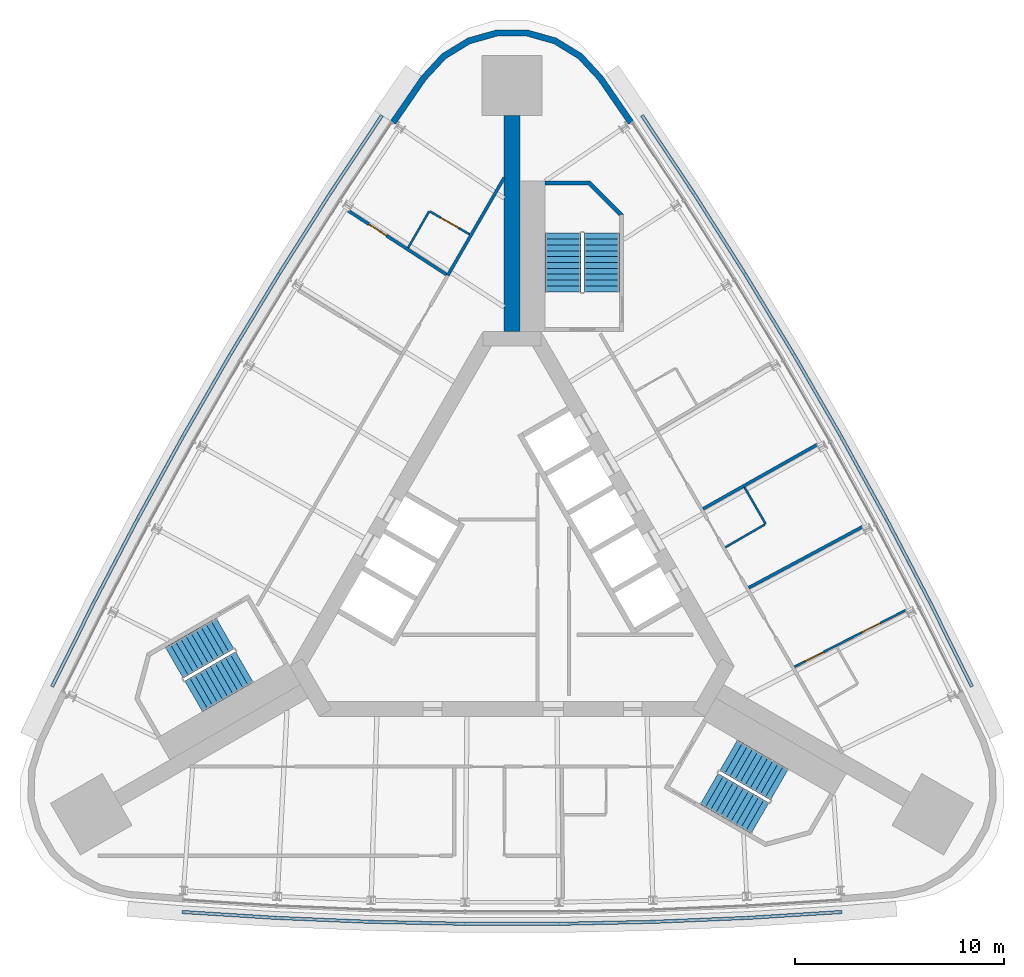
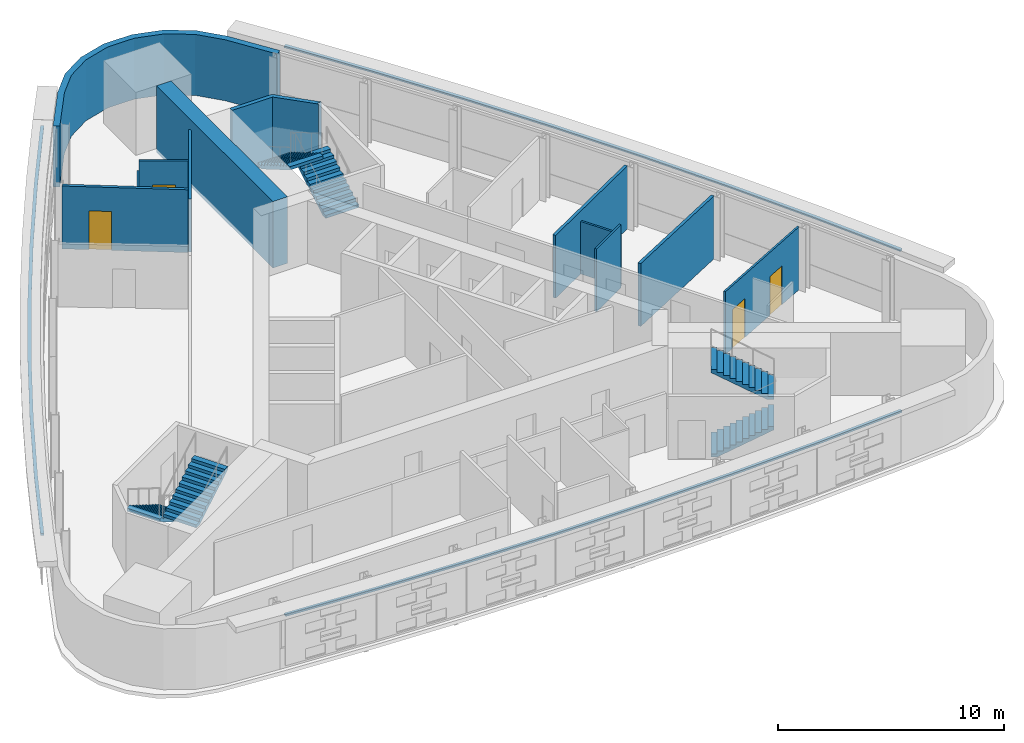
# One storey, part 10 of 12: 12 walls, 6 stair flights, 4 doors, 3 discrete accessories, 4 openings, 3 elements without a shape of their own.
"""IFC4 building model written with IfcOpenShell, lengths in metres."""

from ifc_helpers import new_model, si_unit, direction, frame, frame_2d, origin, place, context, subcontext, project, spatial, polyline, rectangle, outline, extrude, material, layer, layer_set, type_object, element, fill, aggregate, save


model = new_model("IFC4")

# Units and contexts
model_context = context("Model", 3, precision=1e-05, world=origin(), true_north=direction((0.0, 1.0)))
body_context = subcontext(model_context, "Body", "Model", "MODEL_VIEW")
ifc_project = project(units=[si_unit("LENGTHUNIT", "METRE"), si_unit("AREAUNIT", "SQUARE_METRE"), si_unit("VOLUMEUNIT", "CUBIC_METRE"), si_unit("PLANEANGLEUNIT", "RADIAN"), si_unit("MASSUNIT", "GRAM", prefix="KILO")], contexts=[model_context])

# Site, building, storey
site_placement = place(None, origin())
site = spatial("IfcSite", under=ifc_project, at=site_placement, CompositionType="ELEMENT")
building_placement = place(site_placement, origin())
building = spatial("IfcBuilding", under=site, at=building_placement, Name="Noor Cloister Tower", CompositionType="ELEMENT")
storey_placement = place(building_placement, frame((0.0, 0.0, 158.10009765625)))
storey = spatial("IfcBuildingStorey", under=building, at=storey_placement, Name="L40", CompositionType="ELEMENT", Elevation=158.10009765625)

# Walls
ifc_material_1 = material(Name="Concrete C70/85", Category="concrete")
ifc_layer_1 = layer(ifc_material_1, 0.75)
ifc_layer_set_1 = layer_set([ifc_layer_1], Name="Buttress wall 750 C70/85")
wall_type_1 = type_object("IfcWallType", Name="Buttress wall 750 C70/85", PredefinedType="SHEAR", material=ifc_layer_set_1)
wall_1_placement = place(storey_placement, frame((0.0, 11.456298828125, -0.2001953125), z_axis=(0.0, 0.0, 1.0), x_axis=(0.0, 1.0, 0.0)))
element("IfcWall", 1, at=wall_1_placement, inside=storey, type_object=wall_type_1, Name="Buttress wall N L40", PredefinedType="SHEAR", context=body_context, shape_type="SweptSolid", body=[
    extrude(rectangle(XDim=10.330810546875, YDim=0.75, at=frame_2d((5.16552734375, 0.0))), origin(), (0.0, 0.0, 1.0), 3.60009765625),
])
ifc_material_2 = material(Name="Fire-rated gypsum board partition on steel studs, 150 mm", Category="steel")
ifc_layer_2 = layer(ifc_material_2, 0.14990234375)
ifc_layer_set_2 = layer_set([ifc_layer_2], Name="Fire lobby wall 150")
wall_type_2 = type_object("IfcWallType", Name="Fire lobby wall 150", PredefinedType="PARTITIONING", material=ifc_layer_set_2)
wall_2_placement = place(storey_placement, frame((-0.375, 18.806884765625, 0.0), z_axis=(0.0, 0.0, 1.0), x_axis=(-0.499989180974, -0.866031650062, 0.0)))
element("IfcWall", 2, at=wall_2_placement, inside=storey, type_object=wall_type_2, Name="Wall L40-W24", PredefinedType="PARTITIONING", context=body_context, shape_type="SweptSolid", body=[
    extrude(rectangle(XDim=5.3876953125, YDim=0.14990234375, at=frame_2d((2.69384765625, 0.0))), origin(), (0.0, 0.0, 1.0), 2.846923828125),
])
ifc_material_3 = material(Name="Gypsum board partition on steel studs, 150 mm", Category="steel")
ifc_layer_3 = layer(ifc_material_3, 0.14990234375)
ifc_layer_set_3 = layer_set([ifc_layer_3], Name="Flat wall 150")
wall_type_3 = type_object("IfcWallType", Name="Flat wall 150", PredefinedType="PARTITIONING", material=ifc_layer_set_3)
wall_3_placement = place(storey_placement, frame((14.582275390625, 6.060302734375, 0.0), z_axis=(0.0, 0.0, 1.0), x_axis=(-0.871229292109, -0.490876278272, 0.0)))
element("IfcWall", 3, at=wall_3_placement, inside=storey, type_object=wall_type_3, Name="Wall L40-W03", PredefinedType="PARTITIONING", context=body_context, shape_type="SweptSolid", body=[
    extrude(rectangle(XDim=6.255859375, YDim=0.14990234375, at=frame_2d((3.1279296875, 0.0))), origin(), (0.0, 0.0, 1.0), 3.39990234375),
])
wall_4_placement = place(storey_placement, frame((16.74658203125, 2.132080078125, 0.0), z_axis=(0.0, 0.0, 1.0), x_axis=(-0.881303399969, -0.472550862028, 0.0)))
element("IfcWall", 4, at=wall_4_placement, inside=storey, type_object=wall_type_3, Name="Wall L40-W09", PredefinedType="PARTITIONING", context=body_context, shape_type="SweptSolid", body=[
    extrude(rectangle(XDim=6.168701171875, YDim=0.14990234375, at=frame_2d((3.08447265625, 0.0))), origin(), (0.0, 0.0, 1.0), 3.39990234375),
])

# Wall, opening, door
wall_5_placement = place(storey_placement, frame((-7.81982421875, 17.226318359375, 0.0), z_axis=(0.0, 0.0, 1.0), x_axis=(0.838649113596, -0.544672070391, 0.0)))
wall_5 = element("IfcWall", 5, at=wall_5_placement, inside=storey, type_object=wall_type_3, Name="Wall L40-W26", PredefinedType="PARTITIONING", context=body_context, shape_type="SweptSolid", body=[
    extrude(rectangle(XDim=5.58984375, YDim=0.14990234375, at=frame_2d((2.794921875, 0.0))), origin(), (0.0, 0.0, 1.0), 3.39990234375),
])
opening_1_placement = place(wall_5_placement, frame((1.180908203125, 0.0, 0.0)))
opening_1 = element("IfcOpeningElement", 6, at=opening_1_placement, cuts=wall_5, Name="Opening L40-018", PredefinedType="OPENING", context=body_context, shape_type="SweptSolid", body=[
    extrude(rectangle(XDim=1.0, YDim=2.10009765625, at=frame_2d((0.5, 1.050048828125))), frame((0.0, 0.0849609375, 0.0), z_axis=(0.0, -1.0, 0.0), x_axis=(1.0, 0.0, 0.0)), (0.0, 0.0, 1.0), 0.169921875),
])
ifc_material_4 = material(Name="Timber door leaf with steel frame", Category="steel")
door_type_1 = type_object("IfcDoorType", Name="Flat entrance door 1000", OperationType="NOTDEFINED", PredefinedType="DOOR", material=ifc_material_4)
door_1_placement = place(opening_1_placement, origin())
door_1 = element("IfcDoor", 7, at=door_1_placement, inside=storey, type_object=door_type_1, Name="Door L40-018", OperationType="SINGLE_SWING_RIGHT", OverallHeight=2.10009765625, OverallWidth=1.0, PredefinedType="DOOR", context=body_context, shape_type="SweptSolid", body=[
    extrude(rectangle(XDim=1.0, YDim=2.10009765625, at=frame_2d((0.5, 1.050048828125))), frame((0.0, 0.02490234375, 0.0), z_axis=(0.0, -1.0, 0.0), x_axis=(1.0, 0.0, 0.0)), (0.0, 0.0, 1.0), 0.050048828125),
])
fill(opening_1, door_1)

# Wall
ifc_material_5 = material(Name="Limestone", Category="masonry")
ifc_layer_4 = layer(ifc_material_5, 0.300048828125)
ifc_layer_set_4 = layer_set([ifc_layer_4], Name="Limestone cladding 300")
wall_type_4 = type_object("IfcWallType", Name="Limestone cladding 300", PredefinedType="NOTDEFINED", material=ifc_layer_set_4)
wall_6_placement = place(storey_placement, origin())
element("IfcWall", 8, at=wall_6_placement, inside=storey, type_object=wall_type_4, Name="Limestone pier cladding L40 3.1", PredefinedType="NOTDEFINED", context=body_context, shape_type="SweptSolid", body=[
    extrude(outline(polyline([(5.8095703125, 21.5244140625), (4.335693359375, 23.665283203125), (3.3525390625, 24.728271484375), (2.11767578125, 25.484619140625), (0.72412109375, 25.87744140625), (-0.72412109375, 25.87744140625), (-2.11767578125, 25.484619140625), (-3.3525390625, 24.728271484375), (-4.335693359375, 23.665283203125), (-5.8095703125, 21.5244140625), (-5.5625, 21.354248046875), (-4.100830078125, 23.477294921875), (-3.160400390625, 24.494140625), (-1.996337890625, 25.20703125), (-0.6826171875, 25.57763671875), (0.6826171875, 25.57763671875), (1.996337890625, 25.20703125), (3.160400390625, 24.494140625), (4.100830078125, 23.477294921875), (5.5625, 21.354248046875), (5.8095703125, 21.5244140625)])), origin(), (0.0, 0.0, 1.0), 3.2998046875),
])

# Wall, openings, doors
ifc_material_6 = material(Name="Gypsum board partition on steel studs, 100 mm", Category="steel")
ifc_layer_5 = layer(ifc_material_6, 0.10009765625)
ifc_layer_set_5 = layer_set([ifc_layer_5], Name="Partition 100")
wall_type_5 = type_object("IfcWallType", Name="Partition 100", PredefinedType="PARTITIONING", material=ifc_layer_set_5)
wall_7_placement = place(storey_placement, frame((18.828369140625, -1.8408203125, 0.0), z_axis=(0.0, 0.0, 1.0), x_axis=(-0.891018968873, -0.453966074842, 0.0)))
wall_7 = element("IfcWall", 9, at=wall_7_placement, inside=storey, type_object=wall_type_5, Name="Wall L40-W06", PredefinedType="PARTITIONING", context=body_context, shape_type="SweptSolid", body=[
    extrude(rectangle(XDim=5.990478515625, YDim=0.10009765625, at=frame_2d((2.9951171875, 0.0))), origin(), (0.0, 0.0, 1.0), 3.39990234375),
])
opening_2_placement = place(wall_7_placement, frame((1.381103515625, 0.0, 0.0)))
opening_2 = element("IfcOpeningElement", 10, at=opening_2_placement, cuts=wall_7, Name="Opening L40-002", PredefinedType="OPENING", context=body_context, shape_type="SweptSolid", body=[
    extrude(rectangle(XDim=1.0, YDim=2.10009765625, at=frame_2d((0.5, 1.050048828125))), frame((0.0, 0.06005859375, 0.0), z_axis=(0.0, -1.0, 0.0), x_axis=(1.0, 0.0, 0.0)), (0.0, 0.0, 1.0), 0.1201171875),
])
opening_3_placement = place(wall_7_placement, frame((4.413818359375, 0.0, 0.0)))
opening_3 = element("IfcOpeningElement", 11, at=opening_3_placement, cuts=wall_7, Name="Opening L40-003", PredefinedType="OPENING", context=body_context, shape_type="SweptSolid", body=[
    extrude(rectangle(XDim=1.0, YDim=2.10009765625, at=frame_2d((0.5, 1.050048828125))), frame((0.0, 0.06005859375, 0.0), z_axis=(0.0, -1.0, 0.0), x_axis=(1.0, 0.0, 0.0)), (0.0, 0.0, 1.0), 0.1201171875),
])
ifc_material_7 = material(Name="Timber door leaf with steel frame", Category="steel")
door_type_2 = type_object("IfcDoorType", Name="Interior door 1000", OperationType="NOTDEFINED", PredefinedType="DOOR", material=ifc_material_7)
door_2_placement = place(opening_2_placement, origin())
door_2 = element("IfcDoor", 12, at=door_2_placement, inside=storey, type_object=door_type_2, Name="Door L40-002", OperationType="SINGLE_SWING_RIGHT", OverallHeight=2.10009765625, OverallWidth=1.0, PredefinedType="DOOR", context=body_context, shape_type="SweptSolid", body=[
    extrude(rectangle(XDim=1.0, YDim=2.10009765625, at=frame_2d((0.5, 1.050048828125))), frame((0.0, 0.02490234375, 0.0), z_axis=(0.0, -1.0, 0.0), x_axis=(1.0, 0.0, 0.0)), (0.0, 0.0, 1.0), 0.050048828125),
])
fill(opening_2, door_2)
door_3_placement = place(opening_3_placement, origin())
door_3 = element("IfcDoor", 13, at=door_3_placement, inside=storey, type_object=door_type_2, Name="Door L40-003", OperationType="SINGLE_SWING_LEFT", OverallHeight=2.10009765625, OverallWidth=1.0, PredefinedType="DOOR", context=body_context, shape_type="SweptSolid", body=[
    extrude(rectangle(XDim=1.0, YDim=2.10009765625, at=frame_2d((0.5, 1.050048828125))), frame((0.0, 0.02490234375, 0.0), z_axis=(0.0, -1.0, 0.0), x_axis=(1.0, 0.0, 0.0)), (0.0, 0.0, 1.0), 0.050048828125),
])
fill(opening_3, door_3)

# Walls
wall_8_placement = place(storey_placement, frame((11.10791015625, 4.016845703125, 0.0), z_axis=(0.0, 0.0, 1.0), x_axis=(0.500028539159, -0.866008926066, 0.0)))
element("IfcWall", 14, at=wall_8_placement, inside=storey, type_object=wall_type_5, Name="Wall L40-W10", PredefinedType="PARTITIONING", context=body_context, shape_type="SweptSolid", body=[
    extrude(rectangle(XDim=2.025390625, YDim=0.10009765625, at=frame_2d((1.0126953125, 0.0))), origin(), (0.0, 0.0, 1.0), 2.846923828125),
])
wall_9_placement = place(storey_placement, frame((12.0771484375, 2.238037109375, 0.0), z_axis=(0.0, 0.0, 1.0), x_axis=(-0.866037911478, -0.499978335414, 0.0)))
element("IfcWall", 15, at=wall_9_placement, inside=storey, type_object=wall_type_5, Name="Wall L40-W11", PredefinedType="PARTITIONING", context=body_context, shape_type="SweptSolid", body=[
    extrude(rectangle(XDim=2.1748046875, YDim=0.10009765625, at=frame_2d((1.08740234375, 0.0))), origin(), (0.0, 0.0, 1.0), 3.39990234375),
])
wall_10_placement = place(storey_placement, frame((-4.962890625, 15.460205078125, 0.0), z_axis=(0.0, 0.0, 1.0), x_axis=(0.499990325971, 0.866030989016, 0.0)))
element("IfcWall", 16, at=wall_10_placement, inside=storey, type_object=wall_type_5, Name="Wall L40-W29", PredefinedType="PARTITIONING", context=body_context, shape_type="SweptSolid", body=[
    extrude(rectangle(XDim=2.02490234375, YDim=0.10009765625, at=frame_2d((1.012451171875, 0.0))), origin(), (0.0, 0.0, 1.0), 2.846923828125),
])

# Wall, opening, door
wall_11_placement = place(storey_placement, frame((-3.9072265625, 17.18896484375, 0.0), z_axis=(0.0, 0.0, 1.0), x_axis=(0.865989304205, -0.500062521093, 0.0)))
wall_11 = element("IfcWall", 17, at=wall_11_placement, inside=storey, type_object=wall_type_5, Name="Wall L40-W30", PredefinedType="PARTITIONING", context=body_context, shape_type="SweptSolid", body=[
    extrude(rectangle(XDim=2.175048828125, YDim=0.10009765625, at=frame_2d((1.08740234375, 0.0))), origin(), (0.0, 0.0, 1.0), 3.39990234375),
])
opening_4_placement = place(wall_11_placement, frame((0.60009765625, 0.0, 0.0)))
opening_4 = element("IfcOpeningElement", 18, at=opening_4_placement, cuts=wall_11, Name="Opening L40-017", PredefinedType="OPENING", context=body_context, shape_type="SweptSolid", body=[
    extrude(rectangle(XDim=1.0, YDim=2.10009765625, at=frame_2d((0.5, 1.050048828125))), frame((0.0, 0.06005859375, 0.0), z_axis=(0.0, -1.0, 0.0), x_axis=(1.0, 0.0, 0.0)), (0.0, 0.0, 1.0), 0.1201171875),
])
door_4_placement = place(opening_4_placement, origin())
door_4 = element("IfcDoor", 19, at=door_4_placement, inside=storey, type_object=door_type_2, Name="Door L40-017", OperationType="SINGLE_SWING_LEFT", OverallHeight=2.10009765625, OverallWidth=1.0, PredefinedType="DOOR", context=body_context, shape_type="SweptSolid", body=[
    extrude(rectangle(XDim=1.0, YDim=2.10009765625, at=frame_2d((0.5, 1.050048828125))), frame((0.0, 0.02490234375, 0.0), z_axis=(0.0, -1.0, 0.0), x_axis=(1.0, 0.0, 0.0)), (0.0, 0.0, 1.0), 0.050048828125),
])
fill(opening_4, door_4)

# Wall
ifc_material_8 = material(Name="Concrete C70/85", Category="concrete")
wall_type_6 = type_object("IfcWallType", Name="Stair far end wall C70/85", PredefinedType="SHEAR", material=ifc_material_8)
wall_12_placement = place(storey_placement, frame((0.0, 0.0, -0.2001953125)))
element("IfcWall", 20, at=wall_12_placement, inside=storey, type_object=wall_type_6, Name="Stair enclosure wall ST1 L40 far end", PredefinedType="SHEAR", context=body_context, shape_type="SweptSolid", body=[
    extrude(outline(polyline([(5.335693359375, 17.056396484375), (3.735595703125, 18.656494140625), (1.585693359375, 18.656494140625), (1.585693359375, 18.456298828125), (3.65283203125, 18.456298828125), (5.135498046875, 16.9736328125), (5.135498046875, 17.056396484375), (5.135498046875, 17.056396484375), (5.135498046875, 17.056396484375), (5.135498046875, 17.056396484375), (5.135498046875, 17.056396484375), (5.135498046875, 17.056396484375), (5.135498046875, 17.056396484375), (5.135498046875, 17.056396484375), (5.135498046875, 17.056396484375), (5.135498046875, 17.056396484375), (5.135498046875, 17.056396484375), (5.135498046875, 17.056396484375), (5.135498046875, 17.056396484375), (5.135498046875, 17.056396484375), (5.135498046875, 17.056396484375), (5.135498046875, 17.056396484375), (5.135498046875, 17.056396484375), (5.335693359375, 17.056396484375)])), origin(), (0.0, 0.0, 1.0), 3.60009765625),
])

# Stair, stair flights
ifc_material_9 = material(Name="Concrete C40/50", Category="concrete")
stair_type = type_object("IfcStairType", Name="Exit stair 22 risers", PredefinedType="HALF_TURN_STAIR", material=ifc_material_9)
stair_1_placement = place(storey_placement, origin())
stair_1 = element("IfcStair", 21, at=stair_1_placement, inside=storey, type_object=stair_type, Name="Exit stair ST1 L40", PredefinedType="HALF_TURN_STAIR")
ifc_material_10 = material(Name="Concrete C40/50", Category="concrete")
stair_flight_type = type_object("IfcStairFlightType", Name="Exit stair flight", PredefinedType="STRAIGHT", material=ifc_material_10)
stair_flight_1_placement = place(storey_placement, frame((4.28564453125, 13.3564453125, 0.0), z_axis=(0.0, 0.0, 1.0), x_axis=(0.0, 1.0, 0.0)))
stair_flight_1 = element("IfcStairFlight", 22, at=stair_flight_1_placement, type_object=stair_flight_type, Name="ST1 flight 1", NumberOfRisers=11, NumberOfTreads=10, PredefinedType="STRAIGHT", RiserHeight=0.163636364, TreadLength=0.28, context=body_context, shape_type="SweptSolid", body=[
    extrude(outline(polyline([(0.0, 0.0), (0.0, 0.16357421875), (0.280029296875, 0.16357421875), (0.280029296875, 0.327392578125), (0.56005859375, 0.327392578125), (0.56005859375, 0.490966796875), (0.840087890625, 0.490966796875), (0.840087890625, 0.654541015625), (1.1201171875, 0.654541015625), (1.1201171875, 0.818115234375), (1.39990234375, 0.818115234375), (1.39990234375, 0.98193359375), (1.679931640625, 0.98193359375), (1.679931640625, 1.1455078125), (1.9599609375, 1.1455078125), (1.9599609375, 1.30908203125), (2.239990234375, 1.30908203125), (2.239990234375, 1.47265625), (2.52001953125, 1.47265625), (2.52001953125, 1.636474609375), (2.800048828125, 1.636474609375), (2.800048828125, 1.800048828125), (2.800048828125, 1.462646484375), (0.297119140625, 0.0), (0.0, 0.0)])), frame((0.0, 0.85009765625, 0.0), z_axis=(0.0, -1.0, 0.0), x_axis=(1.0, 0.0, 0.0)), (0.0, 0.0, 1.0), 1.699951171875),
])
stair_flight_2_placement = place(storey_placement, frame((2.435546875, 16.156494140625, 1.7998046875), z_axis=(0.0, 0.0, 1.0), x_axis=(0.0, -1.0, 0.0)))
stair_flight_2 = element("IfcStairFlight", 23, at=stair_flight_2_placement, type_object=stair_flight_type, Name="ST1 flight 2", NumberOfRisers=11, NumberOfTreads=10, PredefinedType="STRAIGHT", RiserHeight=0.163636364, TreadLength=0.28, context=body_context, shape_type="SweptSolid", body=[
    extrude(outline(polyline([(0.0, 0.0), (0.0, 0.16357421875), (0.280029296875, 0.16357421875), (0.280029296875, 0.327392578125), (0.56005859375, 0.327392578125), (0.56005859375, 0.490966796875), (0.840087890625, 0.490966796875), (0.840087890625, 0.654541015625), (1.1201171875, 0.654541015625), (1.1201171875, 0.818115234375), (1.39990234375, 0.818115234375), (1.39990234375, 0.98193359375), (1.679931640625, 0.98193359375), (1.679931640625, 1.1455078125), (1.9599609375, 1.1455078125), (1.9599609375, 1.30908203125), (2.239990234375, 1.30908203125), (2.239990234375, 1.47265625), (2.52001953125, 1.47265625), (2.52001953125, 1.636474609375), (2.800048828125, 1.636474609375), (2.800048828125, 1.800048828125), (2.800048828125, 1.462646484375), (0.297119140625, 0.0), (0.0, 0.0)])), frame((0.0, 0.85009765625, 0.0), z_axis=(0.0, -1.0, 0.0), x_axis=(1.0, 0.0, 0.0)), (0.0, 0.0, 1.0), 1.699951171875),
])
aggregate(stair_1, [stair_flight_1, stair_flight_2])

stair_2_placement = place(storey_placement, origin())
stair_2 = element("IfcStair", 24, at=stair_2_placement, inside=storey, type_object=stair_type, Name="Exit stair ST2 L40", PredefinedType="HALF_TURN_STAIR")
stair_flight_3_placement = place(storey_placement, frame((-13.709716796875, -2.966796875, 0.0), z_axis=(0.0, 0.0, 1.0), x_axis=(-0.866025403784, -0.5, 0.0)))
stair_flight_3 = element("IfcStairFlight", 25, at=stair_flight_3_placement, type_object=stair_flight_type, Name="ST2 flight 1", NumberOfRisers=11, NumberOfTreads=10, PredefinedType="STRAIGHT", RiserHeight=0.163636364, TreadLength=0.28, context=body_context, shape_type="SweptSolid", body=[
    extrude(outline(polyline([(0.0, 0.0), (0.0, 0.16357421875), (0.280029296875, 0.16357421875), (0.280029296875, 0.327392578125), (0.56005859375, 0.327392578125), (0.56005859375, 0.490966796875), (0.840087890625, 0.490966796875), (0.840087890625, 0.654541015625), (1.1201171875, 0.654541015625), (1.1201171875, 0.818115234375), (1.39990234375, 0.818115234375), (1.39990234375, 0.98193359375), (1.679931640625, 0.98193359375), (1.679931640625, 1.1455078125), (1.9599609375, 1.1455078125), (1.9599609375, 1.30908203125), (2.239990234375, 1.30908203125), (2.239990234375, 1.47265625), (2.52001953125, 1.47265625), (2.52001953125, 1.636474609375), (2.800048828125, 1.636474609375), (2.800048828125, 1.800048828125), (2.800048828125, 1.462646484375), (0.297119140625, 0.0), (0.0, 0.0)])), frame((0.0, 0.85009765625, 0.0), z_axis=(0.0, -1.0, 0.0), x_axis=(1.0, 0.0, 0.0)), (0.0, 0.0, 1.0), 1.699951171875),
])
stair_flight_4_placement = place(storey_placement, frame((-15.209716796875, -5.968994140625, 1.7998046875), z_axis=(0.0, 0.0, 1.0), x_axis=(0.866025403784, 0.5, 0.0)))
stair_flight_4 = element("IfcStairFlight", 26, at=stair_flight_4_placement, type_object=stair_flight_type, Name="ST2 flight 2", NumberOfRisers=11, NumberOfTreads=10, PredefinedType="STRAIGHT", RiserHeight=0.163636364, TreadLength=0.28, context=body_context, shape_type="SweptSolid", body=[
    extrude(outline(polyline([(0.0, 0.0), (0.0, 0.16357421875), (0.280029296875, 0.16357421875), (0.280029296875, 0.327392578125), (0.56005859375, 0.327392578125), (0.56005859375, 0.490966796875), (0.840087890625, 0.490966796875), (0.840087890625, 0.654541015625), (1.1201171875, 0.654541015625), (1.1201171875, 0.818115234375), (1.39990234375, 0.818115234375), (1.39990234375, 0.98193359375), (1.679931640625, 0.98193359375), (1.679931640625, 1.1455078125), (1.9599609375, 1.1455078125), (1.9599609375, 1.30908203125), (2.239990234375, 1.30908203125), (2.239990234375, 1.47265625), (2.52001953125, 1.47265625), (2.52001953125, 1.636474609375), (2.800048828125, 1.636474609375), (2.800048828125, 1.800048828125), (2.800048828125, 1.462646484375), (0.297119140625, 0.0), (0.0, 0.0)])), frame((0.0, 0.85009765625, 0.0), z_axis=(0.0, -1.0, 0.0), x_axis=(1.0, 0.0, 0.0)), (0.0, 0.0, 1.0), 1.699951171875),
])
aggregate(stair_2, [stair_flight_3, stair_flight_4])

stair_3_placement = place(storey_placement, origin())
stair_3 = element("IfcStair", 27, at=stair_3_placement, inside=storey, type_object=stair_type, Name="Exit stair ST3 L40", PredefinedType="HALF_TURN_STAIR")
stair_flight_5_placement = place(storey_placement, frame((9.424072265625, -10.3896484375, 0.0), z_axis=(0.0, 0.0, 1.0), x_axis=(0.866025403784, -0.5, 0.0)))
stair_flight_5 = element("IfcStairFlight", 28, at=stair_flight_5_placement, type_object=stair_flight_type, Name="ST3 flight 1", NumberOfRisers=11, NumberOfTreads=10, PredefinedType="STRAIGHT", RiserHeight=0.163636364, TreadLength=0.28, context=body_context, shape_type="SweptSolid", body=[
    extrude(outline(polyline([(0.0, 0.0), (0.0, 0.16357421875), (0.280029296875, 0.16357421875), (0.280029296875, 0.327392578125), (0.56005859375, 0.327392578125), (0.56005859375, 0.490966796875), (0.840087890625, 0.490966796875), (0.840087890625, 0.654541015625), (1.1201171875, 0.654541015625), (1.1201171875, 0.818115234375), (1.39990234375, 0.818115234375), (1.39990234375, 0.98193359375), (1.679931640625, 0.98193359375), (1.679931640625, 1.1455078125), (1.9599609375, 1.1455078125), (1.9599609375, 1.30908203125), (2.239990234375, 1.30908203125), (2.239990234375, 1.47265625), (2.52001953125, 1.47265625), (2.52001953125, 1.636474609375), (2.800048828125, 1.636474609375), (2.800048828125, 1.800048828125), (2.800048828125, 1.462646484375), (0.297119140625, 0.0), (0.0, 0.0)])), frame((0.0, 0.85009765625, 0.0), z_axis=(0.0, -1.0, 0.0), x_axis=(1.0, 0.0, 0.0)), (0.0, 0.0, 1.0), 1.699951171875),
])
stair_flight_6_placement = place(storey_placement, frame((12.77392578125, -10.1875, 1.7998046875), z_axis=(0.0, 0.0, 1.0), x_axis=(-0.866025403784, 0.5, 0.0)))
stair_flight_6 = element("IfcStairFlight", 29, at=stair_flight_6_placement, type_object=stair_flight_type, Name="ST3 flight 2", NumberOfRisers=11, NumberOfTreads=10, PredefinedType="STRAIGHT", RiserHeight=0.163636364, TreadLength=0.28, context=body_context, shape_type="SweptSolid", body=[
    extrude(outline(polyline([(0.0, 0.0), (0.0, 0.16357421875), (0.280029296875, 0.16357421875), (0.280029296875, 0.327392578125), (0.56005859375, 0.327392578125), (0.56005859375, 0.490966796875), (0.840087890625, 0.490966796875), (0.840087890625, 0.654541015625), (1.1201171875, 0.654541015625), (1.1201171875, 0.818115234375), (1.39990234375, 0.818115234375), (1.39990234375, 0.98193359375), (1.679931640625, 0.98193359375), (1.679931640625, 1.1455078125), (1.9599609375, 1.1455078125), (1.9599609375, 1.30908203125), (2.239990234375, 1.30908203125), (2.239990234375, 1.47265625), (2.52001953125, 1.47265625), (2.52001953125, 1.636474609375), (2.800048828125, 1.636474609375), (2.800048828125, 1.800048828125), (2.800048828125, 1.462646484375), (0.297119140625, 0.0), (0.0, 0.0)])), frame((0.0, 0.85009765625, 0.0), z_axis=(0.0, -1.0, 0.0), x_axis=(1.0, 0.0, 0.0)), (0.0, 0.0, 1.0), 1.699951171875),
])
aggregate(stair_3, [stair_flight_5, stair_flight_6])

# Discrete accessories
ifc_material_11 = material(Name="Stainless steel grade 316", Category="steel")
discrete_accessory_type = type_object("IfcDiscreteAccessoryType", Name="Stainless hanger rail", PredefinedType="BRACKET", material=ifc_material_11)
discrete_accessory_1_placement = place(storey_placement, frame((0.0, 0.0, 3.199951171875)))
element("IfcDiscreteAccessory", 30, at=discrete_accessory_1_placement, inside=storey, type_object=discrete_accessory_type, Name="Hanger rail L40", PredefinedType="BRACKET", context=body_context, shape_type="SweptSolid", body=[
    extrude(outline(polyline([(-6.276123046875, 21.834228515625), (-8.76953125, 18.081298828125), (-11.18701171875, 14.27197265625), (-13.524169921875, 10.4130859375), (-15.780029296875, 6.505859375), (-17.953369140625, 2.55224609375), (-20.043701171875, -1.446044921875), (-22.047119140625, -5.48193359375), (-21.90380859375, -5.55322265625), (-19.901123046875, -1.518798828125), (-17.8125, 2.4765625), (-15.640625, 6.42724609375), (-13.386474609375, 10.33154296875), (-11.051025390625, 14.187744140625), (-8.63525390625, 17.994140625), (-6.142822265625, 21.745849609375), (-6.276123046875, 21.834228515625)])), origin(), (0.0, 0.0, 1.0), 0.099853515625),
])
discrete_accessory_2_placement = place(storey_placement, frame((0.0, 0.0, 3.199951171875)))
element("IfcDiscreteAccessory", 31, at=discrete_accessory_2_placement, inside=storey, type_object=discrete_accessory_type, Name="Hanger rail L40", PredefinedType="BRACKET", context=body_context, shape_type="SweptSolid", body=[
    extrude(outline(polyline([(-15.77099609375, -16.352294921875), (-11.274169921875, -16.63525390625), (-6.7666015625, -16.82421875), (-2.255859375, -16.918701171875), (2.255859375, -16.918701171875), (6.7666015625, -16.82421875), (11.274169921875, -16.63525390625), (15.77099609375, -16.352294921875), (15.760986328125, -16.192626953125), (11.265869140625, -16.4755859375), (6.761474609375, -16.664306640625), (2.254150390625, -16.7587890625), (-2.254150390625, -16.7587890625), (-6.761474609375, -16.664306640625), (-11.265869140625, -16.4755859375), (-15.760986328125, -16.192626953125), (-15.77099609375, -16.352294921875)])), origin(), (0.0, 0.0, 1.0), 0.099853515625),
])
discrete_accessory_3_placement = place(storey_placement, frame((0.0, 0.0, 3.199951171875)))
element("IfcDiscreteAccessory", 32, at=discrete_accessory_3_placement, inside=storey, type_object=discrete_accessory_type, Name="Hanger rail L40", PredefinedType="BRACKET", context=body_context, shape_type="SweptSolid", body=[
    extrude(outline(polyline([(22.047119140625, -5.48193359375), (20.043701171875, -1.446044921875), (17.953369140625, 2.55224609375), (15.780029296875, 6.505859375), (13.524169921875, 10.4130859375), (11.18701171875, 14.27197265625), (8.76953125, 18.081298828125), (6.276123046875, 21.834228515625), (6.142822265625, 21.745849609375), (8.63525390625, 17.994140625), (11.051025390625, 14.187744140625), (13.386474609375, 10.33154296875), (15.640625, 6.42724609375), (17.8125, 2.4765625), (19.901123046875, -1.518798828125), (21.90380859375, -5.55322265625), (22.047119140625, -5.48193359375)])), origin(), (0.0, 0.0, 1.0), 0.099853515625),
])

save(model, "model.ifc")
